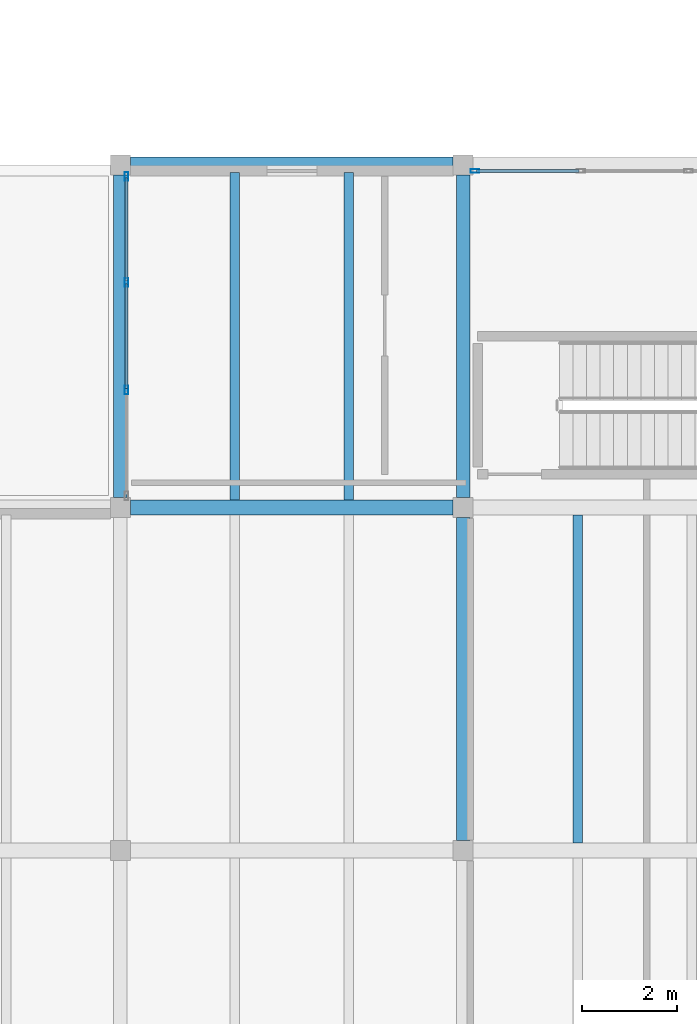
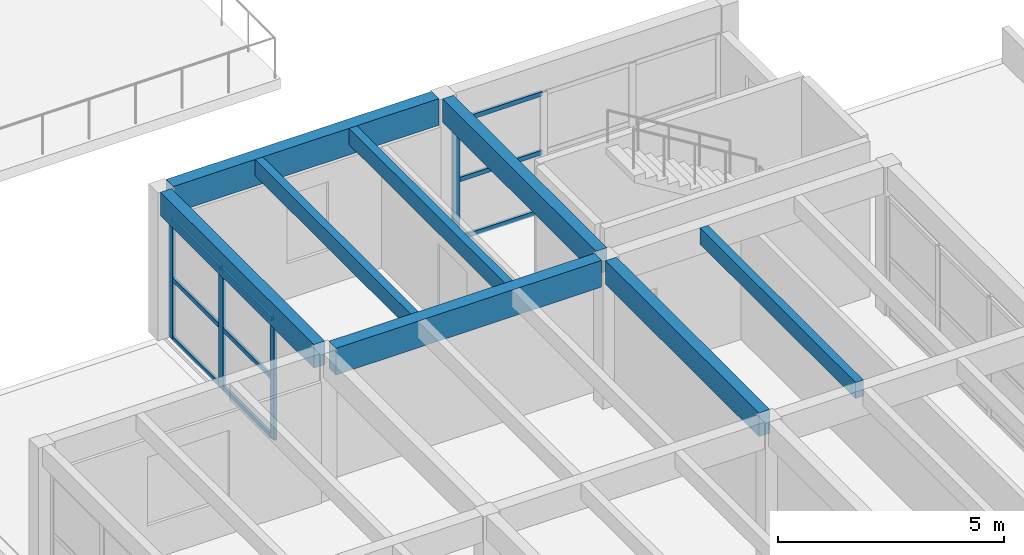
# One storey, part 15 of 68: 13 members, 8 beams, 2 elements without a shape of their own.
"""IFC4 building model written with IfcOpenShell, lengths in metres."""

from ifc_helpers import new_model, si_unit, direction, frame, origin, origin_2d, place, context, subcontext, project, spatial, rectangle, hollow_rectangle, extrude, material, material_profile, profile_set, type_object, element, aggregate, save


model = new_model("IFC4")

# Units and contexts
model_context = context("Model", 3, precision=1e-05, world=origin(), true_north=direction((0.0, 1.0)))
body_context = subcontext(model_context, "Body", "Model", "MODEL_VIEW")
ifc_project = project(units=[si_unit("LENGTHUNIT", "METRE"), si_unit("AREAUNIT", "SQUARE_METRE"), si_unit("VOLUMEUNIT", "CUBIC_METRE"), si_unit("PLANEANGLEUNIT", "RADIAN"), si_unit("MASSUNIT", "GRAM", prefix="KILO")], contexts=[model_context])

# Site, building, storey
site_placement = place(None, origin())
site = spatial("IfcSite", under=ifc_project, at=site_placement, CompositionType="ELEMENT")
building_placement = place(site_placement, origin())
building = spatial("IfcBuilding", under=site, at=building_placement, Name="Bramvelor Terrace Health Centre", CompositionType="ELEMENT")
storey_placement = place(building_placement, frame((0.0, 0.0, 9.300048828125)))
storey = spatial("IfcBuildingStorey", under=building, at=storey_placement, Name="L03", CompositionType="ELEMENT", Elevation=9.300048828125)

# Beams
ifc_material_1 = material(Name="Glulam GL28h", Category="wood")
ifc_material_profile_1 = material_profile(ifc_material_1, rectangle(XDim=0.280029296875, YDim=0.639892578125, at=origin_2d()), Name="GL 280x640")
ifc_profile_set_1 = profile_set([ifc_material_profile_1], Name="Glulam GL28h")
beam_type_1 = type_object("IfcBeamType", Name="BM-GL-G640", PredefinedType="BEAM", material=ifc_profile_set_1)
beam_1_placement = place(storey_placement, frame((7.199951171875, 57.81005859375, 3.669921875), z_axis=(0.0, 1.0, 0.0), x_axis=(-1.0, 0.0, 0.0)))
element("IfcBeam", 1, at=beam_1_placement, inside=storey, type_object=beam_type_1, Name="L03 Floor Girder", PredefinedType="BEAM", context=body_context, shape_type="SweptSolid", body=[
    extrude(rectangle(XDim=0.280029296875, YDim=0.639892578125, at=origin_2d()), origin(), (0.0, 0.0, 1.0), 6.780029296875),
])
beam_2_placement = place(storey_placement, frame((14.39990234375, 50.610107421875, 3.669921875), z_axis=(0.0, 1.0, 0.0), x_axis=(-1.0, 0.0, 0.0)))
element("IfcBeam", 2, at=beam_2_placement, inside=storey, type_object=beam_type_1, Name="L03 Floor Girder", PredefinedType="BEAM", context=body_context, shape_type="SweptSolid", body=[
    extrude(rectangle(XDim=0.280029296875, YDim=0.639892578125, at=origin_2d()), origin(), (0.0, 0.0, 1.0), 6.77978515625),
])
beam_3_placement = place(storey_placement, frame((14.39990234375, 57.81005859375, 3.669921875), z_axis=(0.0, 1.0, 0.0), x_axis=(-1.0, 0.0, 0.0)))
element("IfcBeam", 3, at=beam_3_placement, inside=storey, type_object=beam_type_1, Name="L03 Floor Girder", PredefinedType="BEAM", context=body_context, shape_type="SweptSolid", body=[
    extrude(rectangle(XDim=0.280029296875, YDim=0.639892578125, at=origin_2d()), origin(), (0.0, 0.0, 1.0), 6.780029296875),
])
ifc_material_2 = material(Name="Glulam GL28h", Category="wood")
ifc_material_profile_2 = material_profile(ifc_material_2, rectangle(XDim=0.320068359375, YDim=0.719970703125, at=origin_2d()), Name="GL 320x720")
ifc_profile_set_2 = profile_set([ifc_material_profile_2], Name="Glulam GL28h")
beam_type_2 = type_object("IfcBeamType", Name="BM-GL-G720", PredefinedType="BEAM", material=ifc_profile_set_2)
for number, where, z_axis, x_axis, name in (
    (4, (7.409912109375, 57.60009765625, 3.6298828125), (1.0, 0.0, 0.0), (0.0, 1.0, 0.0), "L03 Floor Girder"),
    (5, (7.409912109375, 64.800048828125, 3.6298828125), (1.0, 0.0, 0.0), (0.0, 1.0, 0.0), "L03 Floor Girder"),
):
    element("IfcBeam", number, at=place(storey_placement, frame(where, z_axis=z_axis, x_axis=x_axis)), inside=storey, type_object=beam_type_2, Name=name, PredefinedType="BEAM", context=body_context, shape_type="SweptSolid", body=[
        extrude(rectangle(XDim=0.320068359375, YDim=0.719970703125, at=origin_2d()), origin(), (0.0, 0.0, 1.0), 6.780029296875),
    ])
ifc_material_3 = material(Name="Glulam GL28h", Category="wood")
ifc_material_profile_3 = material_profile(ifc_material_3, rectangle(XDim=0.199951171875, YDim=0.43994140625, at=origin_2d()), Name="GL 200x440")
ifc_profile_set_3 = profile_set([ifc_material_profile_3], Name="Glulam GL28h")
beam_type_3 = type_object("IfcBeamType", Name="BM-GL-J440", PredefinedType="JOIST", material=ifc_profile_set_3)
for number, where, z_axis, x_axis, name in (
    (6, (9.60009765625, 57.760009765625, 3.77001953125), (0.0, 1.0, 0.0), (-1.0, 0.0, 0.0), "L03 Secondary Floor Joist"),
    (7, (12.0, 57.760009765625, 3.77001953125), (0.0, 1.0, 0.0), (-1.0, 0.0, 0.0), "L03 Secondary Floor Joist"),
    (8, (16.800048828125, 50.56005859375, 3.77001953125), (0.0, 1.0, 0.0), (-1.0, 0.0, 0.0), "L03 Secondary Floor Joist"),
):
    element("IfcBeam", number, at=place(storey_placement, frame(where, z_axis=z_axis, x_axis=x_axis)), inside=storey, type_object=beam_type_3, Name=name, PredefinedType="JOIST", context=body_context, shape_type="SweptSolid", body=[
        extrude(rectangle(XDim=0.199951171875, YDim=0.43994140625, at=origin_2d()), origin(), (0.0, 0.0, 1.0), 6.8798828125),
    ])

# Curtain wall, member
ifc_material_4 = material(Name="Anodized aluminium and double low-E glass", Category="aluminium")
curtain_wall_type = type_object("IfcCurtainWallType", Name="CW-SYS-27", PredefinedType="NOTDEFINED", material=ifc_material_4)
curtain_wall_1_placement = place(storey_placement, origin())
curtain_wall_1 = element("IfcCurtainWall", 9, at=curtain_wall_1_placement, inside=storey, type_object=curtain_wall_type, Name="L03 Unitized Curtain Wall 153", PredefinedType="NOTDEFINED")
ifc_material_5 = material(Name="Anodized aluminium 6063-T6", Category="aluminium")
ifc_material_profile_4 = material_profile(ifc_material_5, hollow_rectangle(XDim=0.074951171875, YDim=0.179931640625, WallThickness=0.00341796875, at=origin_2d()), Name="ALU-MUL 75x180x3.5")
ifc_profile_set_4 = profile_set([ifc_material_profile_4], Name="Anodized aluminium 6063-T6")
member_type_1 = type_object("IfcMemberType", Name="CW-MUL-65x180", PredefinedType="MULLION", material=ifc_profile_set_4)
member_1_placement = place(storey_placement, frame((14.642578125, 64.669921875, 0.0), z_axis=(0.0, 0.0, 1.0), x_axis=(0.0, 1.0, 0.0)))
member_1 = element("IfcMember", 10, at=member_1_placement, type_object=member_type_1, Name="CW-27 mullion 1", PredefinedType="MULLION", context=body_context, shape_type="SweptSolid", body=[
    extrude(hollow_rectangle(XDim=0.074951171875, YDim=0.179931640625, WallThickness=0.00341796875, at=origin_2d()), origin(), (0.0, 0.0, 1.0), 3.22998046875),
])

# Curtain wall, members
curtain_wall_2_placement = place(storey_placement, origin())
curtain_wall_2 = element("IfcCurtainWall", 11, at=curtain_wall_2_placement, inside=storey, type_object=curtain_wall_type, Name="L03 Unitized Curtain Wall 160", PredefinedType="NOTDEFINED")
member_2_placement = place(storey_placement, frame((7.330078125, 60.068359375, 0.0), z_axis=(0.0, 0.0, 1.0), x_axis=(-1.0, 0.0, 0.0)))
member_2 = element("IfcMember", 12, at=member_2_placement, type_object=member_type_1, Name="CW-27 mullion 2", PredefinedType="MULLION", context=body_context, shape_type="SweptSolid", body=[
    extrude(hollow_rectangle(XDim=0.074951171875, YDim=0.179931640625, WallThickness=0.00341796875, at=origin_2d()), origin(), (0.0, 0.0, 1.0), 3.22998046875),
])
member_3_placement = place(storey_placement, frame((7.330078125, 62.331787109375, 0.0), z_axis=(0.0, 0.0, 1.0), x_axis=(-1.0, 0.0, 0.0)))
member_3 = element("IfcMember", 13, at=member_3_placement, type_object=member_type_1, Name="CW-27 mullion 3", PredefinedType="MULLION", context=body_context, shape_type="SweptSolid", body=[
    extrude(hollow_rectangle(XDim=0.074951171875, YDim=0.179931640625, WallThickness=0.00341796875, at=origin_2d()), origin(), (0.0, 0.0, 1.0), 3.22998046875),
])
member_4_placement = place(storey_placement, frame((7.330078125, 64.5576171875, 0.0), z_axis=(0.0, 0.0, 1.0), x_axis=(-1.0, 0.0, 0.0)))
member_4 = element("IfcMember", 14, at=member_4_placement, type_object=member_type_1, Name="CW-27 mullion 4", PredefinedType="MULLION", context=body_context, shape_type="SweptSolid", body=[
    extrude(hollow_rectangle(XDim=0.074951171875, YDim=0.179931640625, WallThickness=0.00341796875, at=origin_2d()), origin(), (0.0, 0.0, 1.0), 3.22998046875),
])

# Member
ifc_material_6 = material(Name="Anodized aluminium 6063-T6", Category="aluminium")
ifc_material_profile_5 = material_profile(ifc_material_6, hollow_rectangle(XDim=0.06494140625, YDim=0.1201171875, WallThickness=0.0029296875, at=origin_2d()), Name="ALU-TRN 65x120x3.0")
ifc_profile_set_5 = profile_set([ifc_material_profile_5], Name="Anodized aluminium 6063-T6")
member_type_2 = type_object("IfcMemberType", Name="CW-TRN-65x150", PredefinedType="USERDEFINED", material=ifc_profile_set_5)
member_5_placement = place(storey_placement, frame((14.679931640625, 64.669921875, 0.032470703125), z_axis=(1.0, 0.0, 0.0), x_axis=(0.0, 1.0, 0.0)))
member_5 = element("IfcMember", 15, at=member_5_placement, type_object=member_type_2, Name="CW-27 transom 1.1", ObjectType="TRANSOM", PredefinedType="USERDEFINED", context=body_context, shape_type="SweptSolid", body=[
    extrude(hollow_rectangle(XDim=0.06494140625, YDim=0.1201171875, WallThickness=0.0029296875, at=origin_2d()), origin(), (0.0, 0.0, 1.0), 2.15087890625),
])

member_6_placement = place(storey_placement, frame((14.679931640625, 64.669921875, 1.614990234375), z_axis=(1.0, 0.0, 0.0), x_axis=(0.0, 1.0, 0.0)))
member_6 = element("IfcMember", 16, at=member_6_placement, type_object=member_type_2, Name="CW-27 transom 1.2", ObjectType="TRANSOM", PredefinedType="USERDEFINED", context=body_context, shape_type="SweptSolid", body=[
    extrude(hollow_rectangle(XDim=0.06494140625, YDim=0.1201171875, WallThickness=0.0029296875, at=origin_2d()), origin(), (0.0, 0.0, 1.0), 2.15087890625),
])

member_7_placement = place(storey_placement, frame((14.679931640625, 64.669921875, 3.197509765625), z_axis=(1.0, 0.0, 0.0), x_axis=(0.0, 1.0, 0.0)))
member_7 = element("IfcMember", 17, at=member_7_placement, type_object=member_type_2, Name="CW-27 transom 1.3", ObjectType="TRANSOM", PredefinedType="USERDEFINED", context=body_context, shape_type="SweptSolid", body=[
    extrude(hollow_rectangle(XDim=0.06494140625, YDim=0.1201171875, WallThickness=0.0029296875, at=origin_2d()), origin(), (0.0, 0.0, 1.0), 2.15087890625),
])

aggregate(curtain_wall_1, [member_1, member_5, member_6, member_7])

member_8_placement = place(storey_placement, frame((7.330078125, 60.105712890625, 0.032470703125), z_axis=(0.0, 1.0, 0.0), x_axis=(-1.0, 0.0, 0.0)))
member_8 = element("IfcMember", 18, at=member_8_placement, type_object=member_type_2, Name="CW-27 transom 2.1", ObjectType="TRANSOM", PredefinedType="USERDEFINED", context=body_context, shape_type="SweptSolid", body=[
    extrude(hollow_rectangle(XDim=0.06494140625, YDim=0.1201171875, WallThickness=0.0029296875, at=origin_2d()), origin(), (0.0, 0.0, 1.0), 2.1884765625),
])

member_9_placement = place(storey_placement, frame((7.330078125, 60.105712890625, 1.614990234375), z_axis=(0.0, 1.0, 0.0), x_axis=(-1.0, 0.0, 0.0)))
member_9 = element("IfcMember", 19, at=member_9_placement, type_object=member_type_2, Name="CW-27 transom 2.2", ObjectType="TRANSOM", PredefinedType="USERDEFINED", context=body_context, shape_type="SweptSolid", body=[
    extrude(hollow_rectangle(XDim=0.06494140625, YDim=0.1201171875, WallThickness=0.0029296875, at=origin_2d()), origin(), (0.0, 0.0, 1.0), 2.1884765625),
])

member_10_placement = place(storey_placement, frame((7.330078125, 60.105712890625, 3.197509765625), z_axis=(0.0, 1.0, 0.0), x_axis=(-1.0, 0.0, 0.0)))
member_10 = element("IfcMember", 20, at=member_10_placement, type_object=member_type_2, Name="CW-27 transom 2.3", ObjectType="TRANSOM", PredefinedType="USERDEFINED", context=body_context, shape_type="SweptSolid", body=[
    extrude(hollow_rectangle(XDim=0.06494140625, YDim=0.1201171875, WallThickness=0.0029296875, at=origin_2d()), origin(), (0.0, 0.0, 1.0), 2.1884765625),
])

member_11_placement = place(storey_placement, frame((7.330078125, 62.369140625, 0.032470703125), z_axis=(0.0, 1.0, 0.0), x_axis=(-1.0, 0.0, 0.0)))
member_11 = element("IfcMember", 21, at=member_11_placement, type_object=member_type_2, Name="CW-27 transom 3.1", ObjectType="TRANSOM", PredefinedType="USERDEFINED", context=body_context, shape_type="SweptSolid", body=[
    extrude(hollow_rectangle(XDim=0.06494140625, YDim=0.1201171875, WallThickness=0.0029296875, at=origin_2d()), origin(), (0.0, 0.0, 1.0), 2.15087890625),
])

member_12_placement = place(storey_placement, frame((7.330078125, 62.369140625, 1.614990234375), z_axis=(0.0, 1.0, 0.0), x_axis=(-1.0, 0.0, 0.0)))
member_12 = element("IfcMember", 22, at=member_12_placement, type_object=member_type_2, Name="CW-27 transom 3.2", ObjectType="TRANSOM", PredefinedType="USERDEFINED", context=body_context, shape_type="SweptSolid", body=[
    extrude(hollow_rectangle(XDim=0.06494140625, YDim=0.1201171875, WallThickness=0.0029296875, at=origin_2d()), origin(), (0.0, 0.0, 1.0), 2.15087890625),
])

member_13_placement = place(storey_placement, frame((7.330078125, 62.369140625, 3.197509765625), z_axis=(0.0, 1.0, 0.0), x_axis=(-1.0, 0.0, 0.0)))
member_13 = element("IfcMember", 23, at=member_13_placement, type_object=member_type_2, Name="CW-27 transom 3.3", ObjectType="TRANSOM", PredefinedType="USERDEFINED", context=body_context, shape_type="SweptSolid", body=[
    extrude(hollow_rectangle(XDim=0.06494140625, YDim=0.1201171875, WallThickness=0.0029296875, at=origin_2d()), origin(), (0.0, 0.0, 1.0), 2.15087890625),
])

aggregate(curtain_wall_2, [member_2, member_3, member_4, member_8, member_9, member_10, member_11, member_12, member_13])

save(model, "model.ifc")
